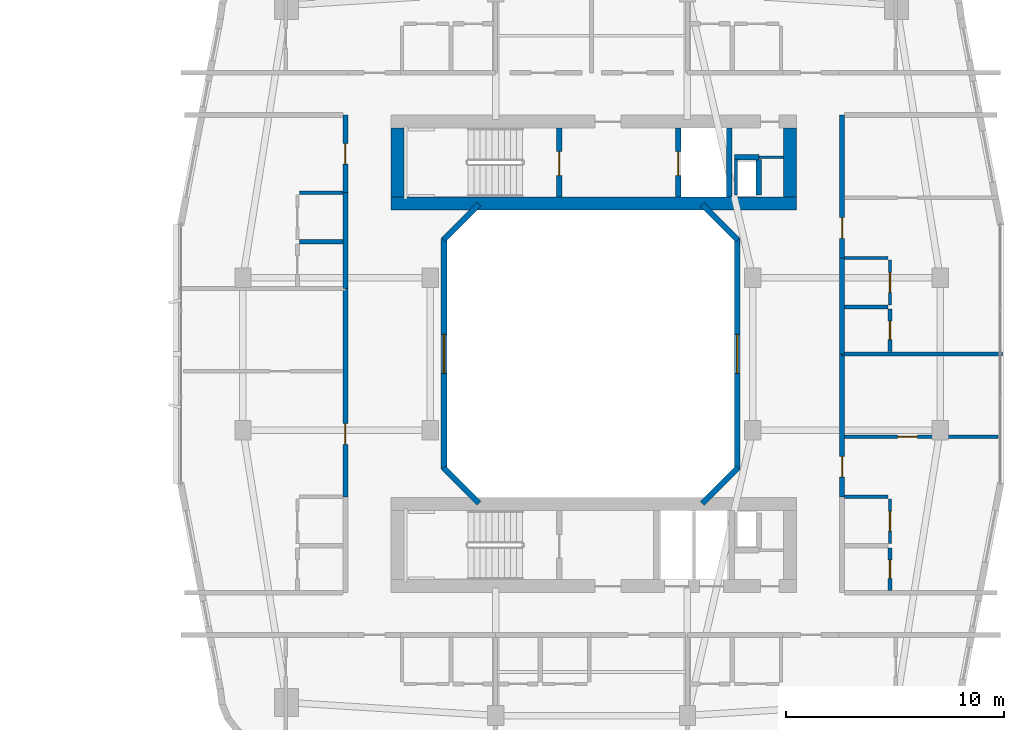
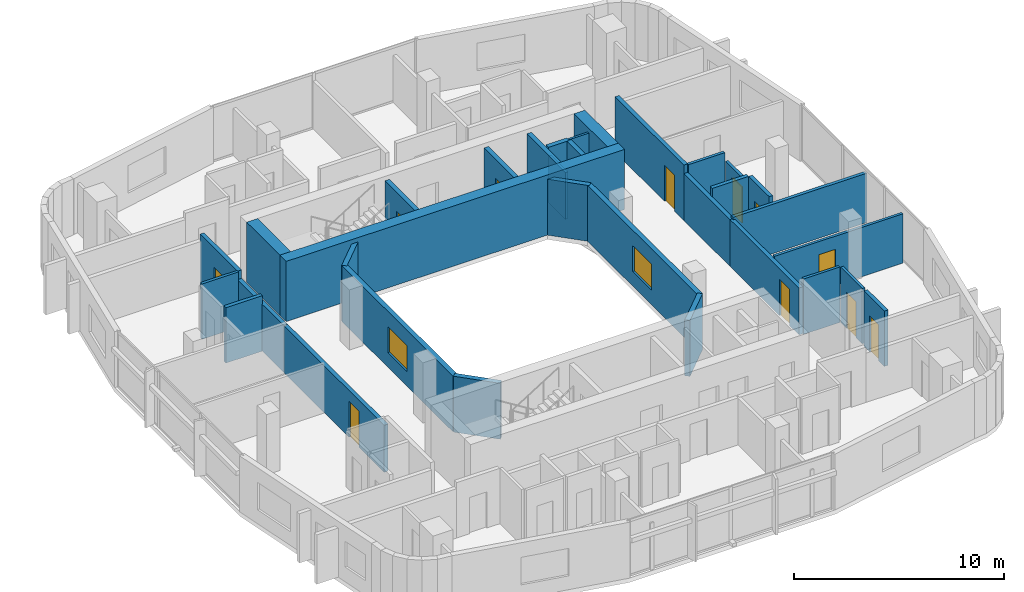
# One storey, part 19 of 26: 33 walls, 11 doors, 2 windows, 13 openings.
"""IFC4 building model written with IfcOpenShell, lengths in metres."""

from ifc_helpers import new_model, si_unit, derived_unit, direction, frame, frame_2d, origin, place, context, subcontext, project, spatial, rectangle, extrude, material, layer, layer_set, type_object, element, fill, save


model = new_model("IFC4")

# Units and contexts
model_context = context("Model", 3, precision=1e-05, world=origin(), true_north=direction((0.0, 1.0)))
body_context = subcontext(model_context, "Body", "Model", "MODEL_VIEW")
ifc_project = project(units=[si_unit("LENGTHUNIT", "METRE"), si_unit("AREAUNIT", "SQUARE_METRE"), si_unit("VOLUMEUNIT", "CUBIC_METRE"), si_unit("PLANEANGLEUNIT", "RADIAN"), si_unit("MASSUNIT", "GRAM", prefix="KILO"), derived_unit("THERMALTRANSMITTANCEUNIT", [(si_unit("POWERUNIT", "WATT"), 1), (si_unit("LENGTHUNIT", "METRE"), -2), (si_unit("THERMODYNAMICTEMPERATUREUNIT", "KELVIN"), -1)])], contexts=[model_context])

# Site, building, storey
site_placement = place(None, origin())
site = spatial("IfcSite", under=ifc_project, at=site_placement, CompositionType="ELEMENT")
building_placement = place(site_placement, origin())
building = spatial("IfcBuilding", under=site, at=building_placement, Name="Kivonza Crest Hotel", CompositionType="ELEMENT")
storey_placement = place(building_placement, frame((0.0, 0.0, 52.0)))
storey = spatial("IfcBuildingStorey", under=building, at=storey_placement, Name="L13", CompositionType="ELEMENT", Elevation=52.0)

# Wall
ifc_material_1 = material(Name="High-density acoustic masonry inter-tenancy wall", Category="masonry")
ifc_layer_1 = layer(ifc_material_1, 0.179931640625)
ifc_layer_set_1 = layer_set([ifc_layer_1], Name="High-density acoustic masonry inter-tenancy wall")
wall_type_1 = type_object("IfcWallType", Name="WL-ACOU-180", PredefinedType="SOLIDWALL", material=ifc_layer_set_1)
wall_1_placement = place(storey_placement, frame((88.5, 25.0, 0.0), z_axis=(0.0, 0.0, 1.0), x_axis=(1.0, 0.0, 0.0)))
element("IfcWall", 1, at=wall_1_placement, inside=storey, type_object=wall_type_1, Name="L13 interior partition WA-L13-T2E-DIV1", PredefinedType="SOLIDWALL", context=body_context, shape_type="SweptSolid", body=[
    extrude(rectangle(XDim=7.360107421875, YDim=0.179931640625, at=frame_2d((3.68017578125, 0.0))), origin(), (0.0, 0.0, 1.0), 2.864990234375),
])

# Wall, opening, door
ifc_material_2 = material(Name="Autoclaved aerated concrete blockwork", Category="masonry")
ifc_layer_2 = layer(ifc_material_2, 0.219970703125)
ifc_layer_set_2 = layer_set([ifc_layer_2], Name="Autoclaved aerated concrete blockwork")
wall_type_2 = type_object("IfcWallType", Name="WL-ACOU-220", PredefinedType="SOLIDWALL", material=ifc_layer_set_2)
wall_2_placement = place(storey_placement, frame((65.699951171875, 18.43994140625, 0.0), z_axis=(0.0, 0.0, 1.0), x_axis=(0.0, 1.0, 0.0)))
wall_2 = element("IfcWall", 2, at=wall_2_placement, inside=storey, type_object=wall_type_2, Name="L13 interior partition WA-L13-A06-MCORR", PredefinedType="SOLIDWALL", context=body_context, shape_type="SweptSolid", body=[
    extrude(rectangle(XDim=9.56005859375, YDim=0.219970703125, at=frame_2d((4.780029296875, 0.0))), origin(), (0.0, 0.0, 1.0), 2.72509765625),
])
opening_1_placement = place(wall_2_placement, frame((2.405029296875, 0.0, 0.0)))
opening_1 = element("IfcOpeningElement", 3, at=opening_1_placement, cuts=wall_2, Name="Opening DU-60", PredefinedType="OPENING", context=body_context, shape_type="SweptSolid", body=[
    extrude(rectangle(XDim=0.949951171875, YDim=2.10009765625, at=frame_2d((0.47509765625, 1.050048828125))), frame((0.0, 0.1201171875, 0.0), z_axis=(0.0, -1.0, 0.0), x_axis=(1.0, 0.0, 0.0)), (0.0, 0.0, 1.0), 0.239990234375),
])
ifc_material_3 = material(Name="Hardwood timber oak", Category="wood")
door_type_1 = type_object("IfcDoorType", Name="DR-UNIT-950", OperationType="NOTDEFINED", PredefinedType="DOOR", material=ifc_material_3)
door_1_placement = place(opening_1_placement, origin())
door_1 = element("IfcDoor", 4, at=door_1_placement, inside=storey, type_object=door_type_1, Name="L13 A06 apartment entrance fire door", OperationType="SINGLE_SWING_RIGHT", OverallHeight=2.10009765625, OverallWidth=0.949951171875, PredefinedType="DOOR", context=body_context, shape_type="SweptSolid", body=[
    extrude(rectangle(XDim=0.949951171875, YDim=2.10009765625, at=frame_2d((0.47509765625, 1.050048828125))), frame((0.0, 0.02490234375, 0.0), z_axis=(0.0, -1.0, 0.0), x_axis=(1.0, 0.0, 0.0)), (0.0, 0.0, 1.0), 0.050048828125),
])
fill(opening_1, door_1)

# Wall
wall_3_placement = place(storey_placement, frame((65.699951171875, 28.0, 0.0), z_axis=(0.0, 0.0, 1.0), x_axis=(0.0, 1.0, 0.0)))
element("IfcWall", 5, at=wall_3_placement, inside=storey, type_object=wall_type_2, Name="L13 interior partition WA-L13-A07-BCORR", PredefinedType="SOLIDWALL", context=body_context, shape_type="SweptSolid", body=[
    extrude(rectangle(XDim=4.39990234375, YDim=0.219970703125, at=frame_2d((2.199951171875, 0.0))), origin(), (0.0, 0.0, 1.0), 2.72509765625),
])

# Wall, opening, door
wall_4_placement = place(storey_placement, frame((65.699951171875, 32.39990234375, 0.0), z_axis=(0.0, 0.0, 1.0), x_axis=(0.0, 1.0, 0.0)))
wall_4 = element("IfcWall", 6, at=wall_4_placement, inside=storey, type_object=wall_type_2, Name="L13 interior partition WA-L13-A07-MCORR", PredefinedType="SOLIDWALL", context=body_context, shape_type="SweptSolid", body=[
    extrude(rectangle(XDim=3.56005859375, YDim=0.219970703125, at=frame_2d((1.780029296875, 0.0))), origin(), (0.0, 0.0, 1.0), 3.219970703125),
])
opening_2_placement = place(wall_4_placement, frame((1.304931640625, 0.0, 0.0)))
opening_2 = element("IfcOpeningElement", 7, at=opening_2_placement, cuts=wall_4, Name="Opening DU-60", PredefinedType="OPENING", context=body_context, shape_type="SweptSolid", body=[
    extrude(rectangle(XDim=0.949951171875, YDim=2.10009765625, at=frame_2d((0.47509765625, 1.050048828125))), frame((0.0, 0.1201171875, 0.0), z_axis=(0.0, -1.0, 0.0), x_axis=(1.0, 0.0, 0.0)), (0.0, 0.0, 1.0), 0.239990234375),
])
door_2_placement = place(opening_2_placement, origin())
door_2 = element("IfcDoor", 8, at=door_2_placement, inside=storey, type_object=door_type_1, Name="L13 A07 apartment entrance fire door", OperationType="SINGLE_SWING_LEFT", OverallHeight=2.10009765625, OverallWidth=0.949951171875, PredefinedType="DOOR", context=body_context, shape_type="SweptSolid", body=[
    extrude(rectangle(XDim=0.949951171875, YDim=2.10009765625, at=frame_2d((0.47509765625, 1.050048828125))), frame((0.0, 0.02490234375, 0.0), z_axis=(0.0, -1.0, 0.0), x_axis=(1.0, 0.0, 0.0)), (0.0, 0.0, 1.0), 0.050048828125),
])
fill(opening_2, door_2)

wall_5_placement = place(storey_placement, frame((88.5, 18.43994140625, 0.0), z_axis=(0.0, 0.0, 1.0), x_axis=(0.0, 1.0, 0.0)))
wall_5 = element("IfcWall", 9, at=wall_5_placement, inside=storey, type_object=wall_type_2, Name="L13 interior partition WA-L13-A08-MCORR", PredefinedType="SOLIDWALL", context=body_context, shape_type="SweptSolid", body=[
    extrude(rectangle(XDim=6.56005859375, YDim=0.219970703125, at=frame_2d((3.280029296875, 0.0))), origin(), (0.0, 0.0, 1.0), 2.72509765625),
])
opening_3_placement = place(wall_5_placement, frame((0.905029296875, 0.0, 0.0)))
opening_3 = element("IfcOpeningElement", 10, at=opening_3_placement, cuts=wall_5, Name="Opening DU-60", PredefinedType="OPENING", context=body_context, shape_type="SweptSolid", body=[
    extrude(rectangle(XDim=0.949951171875, YDim=2.10009765625, at=frame_2d((0.47509765625, 1.050048828125))), frame((0.0, 0.1201171875, 0.0), z_axis=(0.0, -1.0, 0.0), x_axis=(1.0, 0.0, 0.0)), (0.0, 0.0, 1.0), 0.239990234375),
])
door_3_placement = place(opening_3_placement, frame((0.949951171875, 0.0, 0.0), z_axis=(0.0, 0.0, 1.0), x_axis=(-1.0, 0.0, 0.0)))
door_3 = element("IfcDoor", 11, at=door_3_placement, inside=storey, type_object=door_type_1, Name="L13 A08 apartment entrance fire door", OperationType="SINGLE_SWING_RIGHT", OverallHeight=2.10009765625, OverallWidth=0.949951171875, PredefinedType="DOOR", context=body_context, shape_type="SweptSolid", body=[
    extrude(rectangle(XDim=0.949951171875, YDim=2.10009765625, at=frame_2d((0.47509765625, 1.050048828125))), frame((0.0, 0.02490234375, 0.0), z_axis=(0.0, -1.0, 0.0), x_axis=(1.0, 0.0, 0.0)), (0.0, 0.0, 1.0), 0.050048828125),
])
fill(opening_3, door_3)

# Wall
wall_6_placement = place(storey_placement, frame((88.5, 25.0, 0.0), z_axis=(0.0, 0.0, 1.0), x_axis=(0.0, 1.0, 0.0)))
element("IfcWall", 12, at=wall_6_placement, inside=storey, type_object=wall_type_2, Name="L13 interior partition WA-L13-A09-BCORR", PredefinedType="SOLIDWALL", context=body_context, shape_type="SweptSolid", body=[
    extrude(rectangle(XDim=4.39990234375, YDim=0.219970703125, at=frame_2d((2.199951171875, 0.0))), origin(), (0.0, 0.0, 1.0), 2.72509765625),
])

# Wall, opening, door
wall_7_placement = place(storey_placement, frame((88.5, 29.39990234375, 0.0), z_axis=(0.0, 0.0, 1.0), x_axis=(0.0, 1.0, 0.0)))
wall_7 = element("IfcWall", 13, at=wall_7_placement, inside=storey, type_object=wall_type_2, Name="L13 interior partition WA-L13-A09-MCORR", PredefinedType="SOLIDWALL", context=body_context, shape_type="SweptSolid", body=[
    extrude(rectangle(XDim=6.56005859375, YDim=0.219970703125, at=frame_2d((3.280029296875, 0.0))), origin(), (0.0, 0.0, 1.0), 3.219970703125),
])
opening_4_placement = place(wall_7_placement, frame((0.905029296875, 0.0, 0.0)))
opening_4 = element("IfcOpeningElement", 14, at=opening_4_placement, cuts=wall_7, Name="Opening DU-60", PredefinedType="OPENING", context=body_context, shape_type="SweptSolid", body=[
    extrude(rectangle(XDim=0.949951171875, YDim=2.10009765625, at=frame_2d((0.47509765625, 1.050048828125))), frame((0.0, 0.1201171875, 0.0), z_axis=(0.0, -1.0, 0.0), x_axis=(1.0, 0.0, 0.0)), (0.0, 0.0, 1.0), 0.239990234375),
])
door_4_placement = place(opening_4_placement, frame((0.949951171875, 0.0, 0.0), z_axis=(0.0, 0.0, 1.0), x_axis=(-1.0, 0.0, 0.0)))
door_4 = element("IfcDoor", 15, at=door_4_placement, inside=storey, type_object=door_type_1, Name="L13 A09 apartment entrance fire door", OperationType="SINGLE_SWING_LEFT", OverallHeight=2.10009765625, OverallWidth=0.949951171875, PredefinedType="DOOR", context=body_context, shape_type="SweptSolid", body=[
    extrude(rectangle(XDim=0.949951171875, YDim=2.10009765625, at=frame_2d((0.47509765625, 1.050048828125))), frame((0.0, 0.02490234375, 0.0), z_axis=(0.0, -1.0, 0.0), x_axis=(1.0, 0.0, 0.0)), (0.0, 0.0, 1.0), 0.050048828125),
])
fill(opening_4, door_4)

# Walls
ifc_material_4 = material(Name="Concrete C60/75", Category="concrete")
ifc_layer_3 = layer(ifc_material_4, 0.60009765625)
ifc_layer_set_3 = layer_set([ifc_layer_3], Name="Concrete C60/75")
wall_type_3 = type_object("IfcWallType", Name="WL-CORE-600", PredefinedType="SHEAR", material=ifc_layer_set_3)
wall_8_placement = place(storey_placement, frame((67.800048828125, 31.89990234375, 0.0), z_axis=(0.0, 0.0, 1.0), x_axis=(1.0, 0.0, 0.0)))
element("IfcWall", 16, at=wall_8_placement, inside=storey, type_object=wall_type_3, Name="Core wall T2-N South L13", PredefinedType="SHEAR", context=body_context, shape_type="SweptSolid", body=[
    extrude(rectangle(XDim=18.599853515625, YDim=0.60009765625, at=frame_2d((9.2998046875, 0.0))), origin(), (0.0, 0.0, 1.0), 3.5),
])
for number, where, z_axis, x_axis, name in (
    (17, (68.10009765625, 32.199951171875, 0.0), (0.0, 0.0, 1.0), (0.0, 1.0, 0.0), "Core wall T2-N West L13"),
    (18, (86.10009765625, 32.199951171875, 0.0), (0.0, 0.0, 1.0), (0.0, 1.0, 0.0), "Core wall T2-N East L13"),
):
    element("IfcWall", number, at=place(storey_placement, frame(where, z_axis=z_axis, x_axis=x_axis)), inside=storey, type_object=wall_type_3, Name=name, PredefinedType="SHEAR", context=body_context, shape_type="SweptSolid", body=[
        extrude(rectangle(XDim=3.16015625, YDim=0.60009765625, at=frame_2d((1.580078125, 0.0))), origin(), (0.0, 0.0, 1.0), 3.5),
    ])
ifc_material_5 = material(Name="Precast concrete C40/50", Category="concrete")
ifc_layer_4 = layer(ifc_material_5, 0.260009765625)
ifc_layer_set_4 = layer_set([ifc_layer_4], Name="Precast concrete C40/50")
wall_type_4 = type_object("IfcWallType", Name="WL-EXT-260", PredefinedType="STANDARD", material=ifc_layer_set_4)
wall_9_placement = place(storey_placement, frame((82.08203125, 18.137939453125, 0.0), z_axis=(0.0, 0.0, 1.0), x_axis=(0.707106781187, 0.707106781187, 0.0)))
element("IfcWall", 19, at=wall_9_placement, inside=storey, type_object=wall_type_4, Name="L13 T2 light-well exterior wall 2", PredefinedType="STANDARD", context=body_context, shape_type="SweptSolid", body=[
    extrude(rectangle(XDim=2.310791015625, YDim=0.260009765625, at=frame_2d((1.1552734375, 0.0))), origin(), (0.0, 0.0, 1.0), 3.25),
])

# Wall, opening, window
wall_10_placement = place(storey_placement, frame((83.68994140625, 19.7099609375, 0.0), z_axis=(0.0, 0.0, 1.0), x_axis=(0.0, 1.0, 0.0)))
wall_10 = element("IfcWall", 20, at=wall_10_placement, inside=storey, type_object=wall_type_4, Name="L13 T2 light-well exterior wall 3", PredefinedType="STANDARD", context=body_context, shape_type="SweptSolid", body=[
    extrude(rectangle(XDim=10.580078125, YDim=0.260009765625, at=frame_2d((5.2900390625, 0.0))), origin(), (0.0, 0.0, 1.0), 3.25),
])
opening_5_placement = place(wall_10_placement, frame((4.389892578125, 0.0, 0.85009765625)))
opening_5 = element("IfcOpeningElement", 21, at=opening_5_placement, cuts=wall_10, Name="Opening WN-03", PredefinedType="OPENING", context=body_context, shape_type="SweptSolid", body=[
    extrude(rectangle(XDim=1.800048828125, YDim=1.5, at=frame_2d((0.89990234375, 0.75))), frame((0.0, 0.14013671875, 0.0), z_axis=(0.0, -1.0, 0.0), x_axis=(1.0, 0.0, 0.0)), (0.0, 0.0, 1.0), 0.280029296875),
])
ifc_material_6 = material(Name="Thermally broken bronze aluminium and low-E double glazing", Category="aluminium")
window_type = type_object("IfcWindowType", Name="WN-180x150", PartitioningType="DOUBLE_PANEL_VERTICAL", PredefinedType="WINDOW", material=ifc_material_6)
window_1_placement = place(opening_5_placement, origin())
window_1 = element("IfcWindow", 22, at=window_1_placement, inside=storey, type_object=window_type, Name="L13 T2 light-well window 3", OverallHeight=1.5, OverallWidth=1.800048828125, PartitioningType="SINGLE_PANEL", PredefinedType="WINDOW", context=body_context, shape_type="SweptSolid", body=[
    extrude(rectangle(XDim=1.800048828125, YDim=1.5, at=frame_2d((0.89990234375, 0.75))), frame((0.0, 0.030029296875, 0.0), z_axis=(0.0, -1.0, 0.0), x_axis=(1.0, 0.0, 0.0)), (0.0, 0.0, 1.0), 0.06005859375),
])
fill(opening_5, window_1)

# Walls
for number, where, z_axis, x_axis, name in (
    (23, (83.716064453125, 30.22802734375, 0.0), (0.0, 0.0, 1.0), (-0.707106781187, 0.707106781187, 0.0), "L13 T2 light-well exterior wall 4"),
    (24, (71.837890625, 31.862060546875, 0.0), (0.0, 0.0, 1.0), (-0.707053950914, -0.707159607512, 0.0), "L13 T2 light-well exterior wall 6"),
):
    element("IfcWall", number, at=place(storey_placement, frame(where, z_axis=z_axis, x_axis=x_axis)), inside=storey, type_object=wall_type_4, Name=name, PredefinedType="STANDARD", context=body_context, shape_type="SweptSolid", body=[
        extrude(rectangle(XDim=2.310791015625, YDim=0.260009765625, at=frame_2d((1.1552734375, 0.0))), origin(), (0.0, 0.0, 1.0), 3.25),
    ])

# Wall, opening, window
wall_11_placement = place(storey_placement, frame((70.22998046875, 30.2900390625, 0.0), z_axis=(0.0, 0.0, 1.0), x_axis=(0.0, -1.0, 0.0)))
wall_11 = element("IfcWall", 25, at=wall_11_placement, inside=storey, type_object=wall_type_4, Name="L13 T2 light-well exterior wall 7", PredefinedType="STANDARD", context=body_context, shape_type="SweptSolid", body=[
    extrude(rectangle(XDim=10.580078125, YDim=0.260009765625, at=frame_2d((5.2900390625, 0.0))), origin(), (0.0, 0.0, 1.0), 3.25),
])
opening_6_placement = place(wall_11_placement, frame((4.389892578125, 0.0, 0.85009765625)))
opening_6 = element("IfcOpeningElement", 26, at=opening_6_placement, cuts=wall_11, Name="Opening WN-03", PredefinedType="OPENING", context=body_context, shape_type="SweptSolid", body=[
    extrude(rectangle(XDim=1.800048828125, YDim=1.5, at=frame_2d((0.89990234375, 0.75))), frame((0.0, 0.14013671875, 0.0), z_axis=(0.0, -1.0, 0.0), x_axis=(1.0, 0.0, 0.0)), (0.0, 0.0, 1.0), 0.280029296875),
])
window_2_placement = place(opening_6_placement, origin())
window_2 = element("IfcWindow", 27, at=window_2_placement, inside=storey, type_object=window_type, Name="L13 T2 light-well window 7", OverallHeight=1.5, OverallWidth=1.800048828125, PartitioningType="SINGLE_PANEL", PredefinedType="WINDOW", context=body_context, shape_type="SweptSolid", body=[
    extrude(rectangle(XDim=1.800048828125, YDim=1.5, at=frame_2d((0.89990234375, 0.75))), frame((0.0, 0.030029296875, 0.0), z_axis=(0.0, -1.0, 0.0), x_axis=(1.0, 0.0, 0.0)), (0.0, 0.0, 1.0), 0.06005859375),
])
fill(opening_6, window_2)

# Walls
wall_12_placement = place(storey_placement, frame((70.2041015625, 19.77197265625, 0.0), z_axis=(0.0, 0.0, 1.0), x_axis=(0.707053950914, -0.707159607512, 0.0)))
element("IfcWall", 28, at=wall_12_placement, inside=storey, type_object=wall_type_4, Name="L13 T2 light-well exterior wall 8", PredefinedType="STANDARD", context=body_context, shape_type="SweptSolid", body=[
    extrude(rectangle(XDim=2.310791015625, YDim=0.260009765625, at=frame_2d((1.1552734375, 0.0))), origin(), (0.0, 0.0, 1.0), 3.25),
])
ifc_material_7 = material(Name="Concrete blockwork fire-compartment wall", Category="masonry")
ifc_layer_5 = layer(ifc_material_7, 0.25)
ifc_layer_set_5 = layer_set([ifc_layer_5], Name="Concrete blockwork fire-compartment wall")
wall_type_5 = type_object("IfcWallType", Name="WL-FIRE-250", PredefinedType="SOLIDWALL", material=ifc_layer_set_5)
wall_13_placement = place(storey_placement, frame((84.679931640625, 32.300048828125, 0.0), z_axis=(0.0, 0.0, 1.0), x_axis=(0.0, 1.0, 0.0)))
element("IfcWall", 29, at=wall_13_placement, inside=storey, type_object=wall_type_5, Name="L13 interior partition WA-L13-T2-N-MEPR-E", PredefinedType="SOLIDWALL", context=body_context, shape_type="SweptSolid", body=[
    extrude(rectangle(XDim=1.619873046875, YDim=0.25, at=frame_2d((0.81005859375, 0.0))), origin(), (0.0, 0.0, 1.0), 3.219970703125),
])
wall_14_placement = place(storey_placement, frame((83.550048828125, 34.02001953125, 0.0), z_axis=(0.0, 0.0, 1.0), x_axis=(1.0, 0.0, 0.0)))
element("IfcWall", 30, at=wall_14_placement, inside=storey, type_object=wall_type_5, Name="L13 interior partition WA-L13-T2-N-MEPR-H", PredefinedType="SOLIDWALL", context=body_context, shape_type="SweptSolid", body=[
    extrude(rectangle(XDim=1.1298828125, YDim=0.25, at=frame_2d((0.56494140625, 0.0))), origin(), (0.0, 0.0, 1.0), 3.219970703125),
])
ifc_material_8 = material(Name="Metal-stud gypsum board partition", Category="gypsum")
ifc_layer_6 = layer(ifc_material_8, 0.125)
ifc_layer_set_6 = layer_set([ifc_layer_6], Name="Metal-stud gypsum board partition")
wall_type_6 = type_object("IfcWallType", Name="WL-PART-125", PredefinedType="PARTITIONING", material=ifc_layer_set_6)
wall_15_placement = place(storey_placement, frame((84.679931640625, 34.02001953125, 0.0), z_axis=(0.0, 0.0, 1.0), x_axis=(1.0, 0.0, 0.0)))
element("IfcWall", 31, at=wall_15_placement, inside=storey, type_object=wall_type_6, Name="L13 interior partition WP-L13-T2-N-T2H", PredefinedType="PARTITIONING", context=body_context, shape_type="SweptSolid", body=[
    extrude(rectangle(XDim=1.1201171875, YDim=0.125, at=frame_2d((0.56005859375, 0.0))), origin(), (0.0, 0.0, 1.0), 3.219970703125),
])
ifc_material_9 = material(Name="Twin-stud acoustic gypsum board partition", Category="gypsum")
ifc_layer_7 = layer(ifc_material_9, 0.14990234375)
ifc_layer_set_7 = layer_set([ifc_layer_7], Name="Twin-stud acoustic gypsum board partition")
wall_type_7 = type_object("IfcWallType", Name="WL-PART-150", PredefinedType="PARTITIONING", material=ifc_layer_set_7)
wall_16_placement = place(storey_placement, frame((83.6298828125, 32.300048828125, 0.0), z_axis=(0.0, 0.0, 1.0), x_axis=(0.0, 1.0, 0.0)))
element("IfcWall", 32, at=wall_16_placement, inside=storey, type_object=wall_type_7, Name="L13 interior partition WA-L13-T2-N-MEPR-W", PredefinedType="PARTITIONING", context=body_context, shape_type="SweptSolid", body=[
    extrude(rectangle(XDim=1.619873046875, YDim=0.14990234375, at=frame_2d((0.81005859375, 0.0))), origin(), (0.0, 0.0, 1.0), 2.72509765625),
])
wall_17_placement = place(storey_placement, frame((63.60009765625, 32.39990234375, 0.0), z_axis=(0.0, 0.0, 1.0), x_axis=(1.0, 0.0, 0.0)))
element("IfcWall", 33, at=wall_17_placement, inside=storey, type_object=wall_type_7, Name="L13 interior partition WP-L13-A07-KF", PredefinedType="PARTITIONING", context=body_context, shape_type="SweptSolid", body=[
    extrude(rectangle(XDim=2.0, YDim=0.14990234375, at=frame_2d((1.0, 0.0))), origin(), (0.0, 0.0, 1.0), 3.219970703125),
])

# Wall, opening, door
wall_18_placement = place(storey_placement, frame((88.60009765625, 21.199951171875, 0.0), z_axis=(0.0, 0.0, 1.0), x_axis=(1.0, 0.0, 0.0)))
wall_18 = element("IfcWall", 34, at=wall_18_placement, inside=storey, type_object=wall_type_7, Name="L13 interior partition WP-L13-A08-BD1", PredefinedType="PARTITIONING", context=body_context, shape_type="SweptSolid", body=[
    extrude(rectangle(XDim=7.059814453125, YDim=0.14990234375, at=frame_2d((3.52978515625, 0.0))), origin(), (0.0, 0.0, 1.0), 2.864990234375),
])
opening_7_placement = place(wall_18_placement, frame((2.449951171875, 0.0, 0.0)))
opening_7 = element("IfcOpeningElement", 35, at=opening_7_placement, cuts=wall_18, Name="Opening DI-90", PredefinedType="OPENING", context=body_context, shape_type="SweptSolid", body=[
    extrude(rectangle(XDim=0.89990234375, YDim=2.10009765625, at=frame_2d((0.449951171875, 1.050048828125))), frame((0.0, 0.0849609375, 0.0), z_axis=(0.0, -1.0, 0.0), x_axis=(1.0, 0.0, 0.0)), (0.0, 0.0, 1.0), 0.169921875),
])
door_type_2 = type_object("IfcDoorType", Name="DR-INT-900", OperationType="NOTDEFINED", PredefinedType="DOOR", material=ifc_material_3)
door_5_placement = place(opening_7_placement, origin())
door_5 = element("IfcDoor", 36, at=door_5_placement, inside=storey, type_object=door_type_2, Name="L13 A08 bedroom door", OperationType="SINGLE_SWING_LEFT", OverallHeight=2.10009765625, OverallWidth=0.89990234375, PredefinedType="DOOR", context=body_context, shape_type="SweptSolid", body=[
    extrude(rectangle(XDim=0.89990234375, YDim=2.10009765625, at=frame_2d((0.449951171875, 1.050048828125))), frame((0.0, 0.02490234375, 0.0), z_axis=(0.0, -1.0, 0.0), x_axis=(1.0, 0.0, 0.0)), (0.0, 0.0, 1.0), 0.050048828125),
])
fill(opening_7, door_5)

# Wall
wall_19_placement = place(storey_placement, frame((88.60009765625, 18.43994140625, 0.0), z_axis=(0.0, 0.0, 1.0), x_axis=(1.0, 0.0, 0.0)))
element("IfcWall", 37, at=wall_19_placement, inside=storey, type_object=wall_type_7, Name="L13 interior partition WP-L13-A08-KF", PredefinedType="PARTITIONING", context=body_context, shape_type="SweptSolid", body=[
    extrude(rectangle(XDim=2.0, YDim=0.14990234375, at=frame_2d((1.0, 0.0))), origin(), (0.0, 0.0, 1.0), 3.219970703125),
])

# Wall, opening, door
wall_20_placement = place(storey_placement, frame((90.699951171875, 16.2900390625, 0.0), z_axis=(0.0, 0.0, 1.0), x_axis=(0.0, 1.0, 0.0)))
wall_20 = element("IfcWall", 38, at=wall_20_placement, inside=storey, type_object=wall_type_7, Name="L13 interior partition WP-L13-A08-KSVC", PredefinedType="PARTITIONING", context=body_context, shape_type="SweptSolid", body=[
    extrude(rectangle(XDim=2.050048828125, YDim=0.14990234375, at=frame_2d((1.02490234375, 0.0))), origin(), (0.0, 0.0, 1.0), 3.219970703125),
])
opening_8_placement = place(wall_20_placement, frame((0.574951171875, 0.0, 0.0)))
opening_8 = element("IfcOpeningElement", 39, at=opening_8_placement, cuts=wall_20, Name="Opening DI-90", PredefinedType="OPENING", context=body_context, shape_type="SweptSolid", body=[
    extrude(rectangle(XDim=0.89990234375, YDim=2.10009765625, at=frame_2d((0.449951171875, 1.050048828125))), frame((0.0, 0.0849609375, 0.0), z_axis=(0.0, -1.0, 0.0), x_axis=(1.0, 0.0, 0.0)), (0.0, 0.0, 1.0), 0.169921875),
])
door_6_placement = place(opening_8_placement, frame((0.89990234375, 0.0, 0.0), z_axis=(0.0, 0.0, 1.0), x_axis=(-1.0, 0.0, 0.0)))
door_6 = element("IfcDoor", 40, at=door_6_placement, inside=storey, type_object=door_type_2, Name="L13 A08 apartment kitchen door", OperationType="SINGLE_SWING_RIGHT", OverallHeight=2.10009765625, OverallWidth=0.89990234375, PredefinedType="DOOR", context=body_context, shape_type="SweptSolid", body=[
    extrude(rectangle(XDim=0.89990234375, YDim=2.10009765625, at=frame_2d((0.449951171875, 1.050048828125))), frame((0.0, 0.02490234375, 0.0), z_axis=(0.0, -1.0, 0.0), x_axis=(1.0, 0.0, 0.0)), (0.0, 0.0, 1.0), 0.050048828125),
])
fill(opening_8, door_6)

# Wall
wall_21_placement = place(storey_placement, frame((88.60009765625, 29.39990234375, 0.0), z_axis=(0.0, 0.0, 1.0), x_axis=(1.0, 0.0, 0.0)))
element("IfcWall", 41, at=wall_21_placement, inside=storey, type_object=wall_type_7, Name="L13 interior partition WP-L13-A09-KF", PredefinedType="PARTITIONING", context=body_context, shape_type="SweptSolid", body=[
    extrude(rectangle(XDim=2.0, YDim=0.14990234375, at=frame_2d((1.0, 0.0))), origin(), (0.0, 0.0, 1.0), 3.219970703125),
])

# Wall, opening, door
wall_22_placement = place(storey_placement, frame((90.699951171875, 27.25, 0.0), z_axis=(0.0, 0.0, 1.0), x_axis=(0.0, 1.0, 0.0)))
wall_22 = element("IfcWall", 42, at=wall_22_placement, inside=storey, type_object=wall_type_7, Name="L13 interior partition WP-L13-A09-KSVC", PredefinedType="PARTITIONING", context=body_context, shape_type="SweptSolid", body=[
    extrude(rectangle(XDim=2.050048828125, YDim=0.14990234375, at=frame_2d((1.02490234375, 0.0))), origin(), (0.0, 0.0, 1.0), 2.72509765625),
])
opening_9_placement = place(wall_22_placement, frame((0.574951171875, 0.0, 0.0)))
opening_9 = element("IfcOpeningElement", 43, at=opening_9_placement, cuts=wall_22, Name="Opening DI-90", PredefinedType="OPENING", context=body_context, shape_type="SweptSolid", body=[
    extrude(rectangle(XDim=0.89990234375, YDim=2.10009765625, at=frame_2d((0.449951171875, 1.050048828125))), frame((0.0, 0.0849609375, 0.0), z_axis=(0.0, -1.0, 0.0), x_axis=(1.0, 0.0, 0.0)), (0.0, 0.0, 1.0), 0.169921875),
])
door_7_placement = place(opening_9_placement, frame((0.89990234375, 0.0, 0.0), z_axis=(0.0, 0.0, 1.0), x_axis=(-1.0, 0.0, 0.0)))
door_7 = element("IfcDoor", 44, at=door_7_placement, inside=storey, type_object=door_type_2, Name="L13 A09 apartment kitchen door", OperationType="SINGLE_SWING_LEFT", OverallHeight=2.10009765625, OverallWidth=0.89990234375, PredefinedType="DOOR", context=body_context, shape_type="SweptSolid", body=[
    extrude(rectangle(XDim=0.89990234375, YDim=2.10009765625, at=frame_2d((0.449951171875, 1.050048828125))), frame((0.0, 0.02490234375, 0.0), z_axis=(0.0, -1.0, 0.0), x_axis=(1.0, 0.0, 0.0)), (0.0, 0.0, 1.0), 0.050048828125),
])
fill(opening_9, door_7)

# Wall
ifc_material_10 = material(Name="Moisture-resistant plumbing chase partition wall", Category="gypsum")
ifc_layer_8 = layer(ifc_material_10, 0.199951171875)
ifc_layer_set_8 = layer_set([ifc_layer_8], Name="Moisture-resistant plumbing chase partition wall")
wall_type_8 = type_object("IfcWallType", Name="WL-PLUMB-200", PredefinedType="PLUMBINGWALL", material=ifc_layer_set_8)
wall_23_placement = place(storey_placement, frame((63.60009765625, 30.14990234375, 0.0), z_axis=(0.0, 0.0, 1.0), x_axis=(1.0, 0.0, 0.0)))
element("IfcWall", 45, at=wall_23_placement, inside=storey, type_object=wall_type_8, Name="L13 interior partition WW-L13-A07-BK", PredefinedType="PLUMBINGWALL", context=body_context, shape_type="SweptSolid", body=[
    extrude(rectangle(XDim=2.0, YDim=0.199951171875, at=frame_2d((1.0, 0.0))), origin(), (0.0, 0.0, 1.0), 3.219970703125),
])

# Wall, opening, door
wall_24_placement = place(storey_placement, frame((90.699951171875, 14.139892578125, 0.0), z_axis=(0.0, 0.0, 1.0), x_axis=(0.0, 1.0, 0.0)))
wall_24 = element("IfcWall", 46, at=wall_24_placement, inside=storey, type_object=wall_type_8, Name="L13 interior partition WW-L13-A08-BSVC", PredefinedType="PLUMBINGWALL", context=body_context, shape_type="SweptSolid", body=[
    extrude(rectangle(XDim=1.9501953125, YDim=0.199951171875, at=frame_2d((0.97509765625, 0.0))), origin(), (0.0, 0.0, 1.0), 3.219970703125),
])
opening_10_placement = place(wall_24_placement, frame((0.550048828125, 0.0, 0.0)))
opening_10 = element("IfcOpeningElement", 47, at=opening_10_placement, cuts=wall_24, Name="Opening DI-85", PredefinedType="OPENING", context=body_context, shape_type="SweptSolid", body=[
    extrude(rectangle(XDim=0.85009765625, YDim=2.10009765625, at=frame_2d((0.425048828125, 1.050048828125))), frame((0.0, 0.10986328125, 0.0), z_axis=(0.0, -1.0, 0.0), x_axis=(1.0, 0.0, 0.0)), (0.0, 0.0, 1.0), 0.219970703125),
])
door_type_3 = type_object("IfcDoorType", Name="DR-INT-850", OperationType="NOTDEFINED", PredefinedType="DOOR", material=ifc_material_3)
door_8_placement = place(opening_10_placement, frame((0.85009765625, 0.0, 0.0), z_axis=(0.0, 0.0, 1.0), x_axis=(-1.0, 0.0, 0.0)))
door_8 = element("IfcDoor", 48, at=door_8_placement, inside=storey, type_object=door_type_3, Name="L13 A08 apartment bathroom door", OperationType="SINGLE_SWING_LEFT", OverallHeight=2.10009765625, OverallWidth=0.85009765625, PredefinedType="DOOR", context=body_context, shape_type="SweptSolid", body=[
    extrude(rectangle(XDim=0.85009765625, YDim=2.10009765625, at=frame_2d((0.425048828125, 1.050048828125))), frame((0.0, 0.02490234375, 0.0), z_axis=(0.0, -1.0, 0.0), x_axis=(1.0, 0.0, 0.0)), (0.0, 0.0, 1.0), 0.050048828125),
])
fill(opening_10, door_8)

# Wall
wall_25_placement = place(storey_placement, frame((88.60009765625, 27.14990234375, 0.0), z_axis=(0.0, 0.0, 1.0), x_axis=(1.0, 0.0, 0.0)))
element("IfcWall", 49, at=wall_25_placement, inside=storey, type_object=wall_type_8, Name="L13 interior partition WW-L13-A09-BK", PredefinedType="PLUMBINGWALL", context=body_context, shape_type="SweptSolid", body=[
    extrude(rectangle(XDim=2.0, YDim=0.199951171875, at=frame_2d((1.0, 0.0))), origin(), (0.0, 0.0, 1.0), 3.219970703125),
])

# Wall, opening, door
wall_26_placement = place(storey_placement, frame((90.699951171875, 25.10009765625, 0.0), z_axis=(0.0, 0.0, 1.0), x_axis=(0.0, 1.0, 0.0)))
wall_26 = element("IfcWall", 50, at=wall_26_placement, inside=storey, type_object=wall_type_8, Name="L13 interior partition WW-L13-A09-BSVC", PredefinedType="PLUMBINGWALL", context=body_context, shape_type="SweptSolid", body=[
    extrude(rectangle(XDim=1.949951171875, YDim=0.199951171875, at=frame_2d((0.97509765625, 0.0))), origin(), (0.0, 0.0, 1.0), 3.219970703125),
])
opening_11_placement = place(wall_26_placement, frame((0.550048828125, 0.0, 0.0)))
opening_11 = element("IfcOpeningElement", 51, at=opening_11_placement, cuts=wall_26, Name="Opening DI-85", PredefinedType="OPENING", context=body_context, shape_type="SweptSolid", body=[
    extrude(rectangle(XDim=0.85009765625, YDim=2.10009765625, at=frame_2d((0.425048828125, 1.050048828125))), frame((0.0, 0.10986328125, 0.0), z_axis=(0.0, -1.0, 0.0), x_axis=(1.0, 0.0, 0.0)), (0.0, 0.0, 1.0), 0.219970703125),
])
door_9_placement = place(opening_11_placement, frame((0.85009765625, 0.0, 0.0), z_axis=(0.0, 0.0, 1.0), x_axis=(-1.0, 0.0, 0.0)))
door_9 = element("IfcDoor", 52, at=door_9_placement, inside=storey, type_object=door_type_3, Name="L13 A09 apartment bathroom door", OperationType="SINGLE_SWING_RIGHT", OverallHeight=2.10009765625, OverallWidth=0.85009765625, PredefinedType="DOOR", context=body_context, shape_type="SweptSolid", body=[
    extrude(rectangle(XDim=0.85009765625, YDim=2.10009765625, at=frame_2d((0.425048828125, 1.050048828125))), frame((0.0, 0.02490234375, 0.0), z_axis=(0.0, -1.0, 0.0), x_axis=(1.0, 0.0, 0.0)), (0.0, 0.0, 1.0), 0.050048828125),
])
fill(opening_11, door_9)

ifc_material_11 = material(Name="Concrete C50/60", Category="concrete")
ifc_layer_9 = layer(ifc_material_11, 0.25)
ifc_layer_set_9 = layer_set([ifc_layer_9], Name="Concrete C50/60")
wall_type_9 = type_object("IfcWallType", Name="WL-SHAFT-250", PredefinedType="STANDARD", material=ifc_layer_set_9)
wall_27_placement = place(storey_placement, frame((75.52490234375, 32.199951171875, 0.0), z_axis=(0.0, 0.0, 1.0), x_axis=(0.0, 1.0, 0.0)))
wall_27 = element("IfcWall", 53, at=wall_27_placement, inside=storey, type_object=wall_type_9, Name="Core shaft wall T2-N STAIR L13", PredefinedType="STANDARD", context=body_context, shape_type="SweptSolid", body=[
    extrude(rectangle(XDim=3.16015625, YDim=0.25, at=frame_2d((1.580078125, 0.0))), origin(), (0.0, 0.0, 1.0), 3.25),
])
opening_12_placement = place(wall_27_placement, frame((0.97998046875, 0.0, 0.0)))
opening_12 = element("IfcOpeningElement", 54, at=opening_12_placement, cuts=wall_27, Name="Opening DF-120", PredefinedType="OPENING", context=body_context, shape_type="SweptSolid", body=[
    extrude(rectangle(XDim=1.10009765625, YDim=2.14990234375, at=frame_2d((0.550048828125, 1.074951171875))), frame((0.0, 0.135009765625, 0.0), z_axis=(0.0, -1.0, 0.0), x_axis=(1.0, 0.0, 0.0)), (0.0, 0.0, 1.0), 0.27001953125),
])
ifc_material_12 = material(Name="Galvanised steel", Category="steel")
door_type_4 = type_object("IfcDoorType", Name="DR-FD120-1100", OperationType="NOTDEFINED", PredefinedType="DOOR", material=ifc_material_12)
door_10_placement = place(opening_12_placement, frame((1.10009765625, 0.0, 0.0), z_axis=(0.0, 0.0, 1.0), x_axis=(-1.0, 0.0, 0.0)))
door_10 = element("IfcDoor", 55, at=door_10_placement, inside=storey, type_object=door_type_4, Name="L13 T2-N stair fire door", OperationType="SINGLE_SWING_LEFT", OverallHeight=2.14990234375, OverallWidth=1.10009765625, PredefinedType="DOOR", context=body_context, shape_type="SweptSolid", body=[
    extrude(rectangle(XDim=1.10009765625, YDim=2.14990234375, at=frame_2d((0.550048828125, 1.074951171875))), frame((0.0, 0.02490234375, 0.0), z_axis=(0.0, -1.0, 0.0), x_axis=(1.0, 0.0, 0.0)), (0.0, 0.0, 1.0), 0.050048828125),
])
fill(opening_12, door_10)

wall_28_placement = place(storey_placement, frame((80.97509765625, 32.199951171875, 0.0), z_axis=(0.0, 0.0, 1.0), x_axis=(0.0, 1.0, 0.0)))
wall_28 = element("IfcWall", 56, at=wall_28_placement, inside=storey, type_object=wall_type_9, Name="Core shaft wall T2-N FFL-W L13", PredefinedType="STANDARD", context=body_context, shape_type="SweptSolid", body=[
    extrude(rectangle(XDim=3.16015625, YDim=0.25, at=frame_2d((1.580078125, 0.0))), origin(), (0.0, 0.0, 1.0), 3.25),
])
opening_13_placement = place(wall_28_placement, frame((0.97998046875, 0.0, 0.0)))
opening_13 = element("IfcOpeningElement", 57, at=opening_13_placement, cuts=wall_28, Name="Opening LD-120", PredefinedType="OPENING", context=body_context, shape_type="SweptSolid", body=[
    extrude(rectangle(XDim=1.10009765625, YDim=2.14990234375, at=frame_2d((0.550048828125, 1.074951171875))), frame((0.0, 0.135009765625, 0.0), z_axis=(0.0, -1.0, 0.0), x_axis=(1.0, 0.0, 0.0)), (0.0, 0.0, 1.0), 0.27001953125),
])
ifc_material_13 = material(Name="Stainless steel", Category="steel")
door_type_5 = type_object("IfcDoorType", Name="DR-LD120-1100", OperationType="NOTDEFINED", PredefinedType="DOOR", material=ifc_material_13)
door_11_placement = place(opening_13_placement, origin())
door_11 = element("IfcDoor", 58, at=door_11_placement, inside=storey, type_object=door_type_5, Name="L13 FFL-T2 firefighting lift sliding landing door", OperationType="DOUBLE_DOOR_SLIDING", OverallHeight=2.14990234375, OverallWidth=1.10009765625, PredefinedType="DOOR", context=body_context, shape_type="SweptSolid", body=[
    extrude(rectangle(XDim=1.10009765625, YDim=2.14990234375, at=frame_2d((0.550048828125, 1.074951171875))), frame((0.0, 0.02490234375, 0.0), z_axis=(0.0, -1.0, 0.0), x_axis=(1.0, 0.0, 0.0)), (0.0, 0.0, 1.0), 0.050048828125),
])
fill(opening_13, door_11)

# Wall
wall_29_placement = place(storey_placement, frame((83.324951171875, 32.199951171875, 0.0), z_axis=(0.0, 0.0, 1.0), x_axis=(0.0, 1.0, 0.0)))
element("IfcWall", 59, at=wall_29_placement, inside=storey, type_object=wall_type_9, Name="Core shaft wall T2-N FFL-E L13", PredefinedType="STANDARD", context=body_context, shape_type="SweptSolid", body=[
    extrude(rectangle(XDim=3.16015625, YDim=0.25, at=frame_2d((1.580078125, 0.0))), origin(), (0.0, 0.0, 1.0), 3.25),
])

save(model, "model.ifc")
